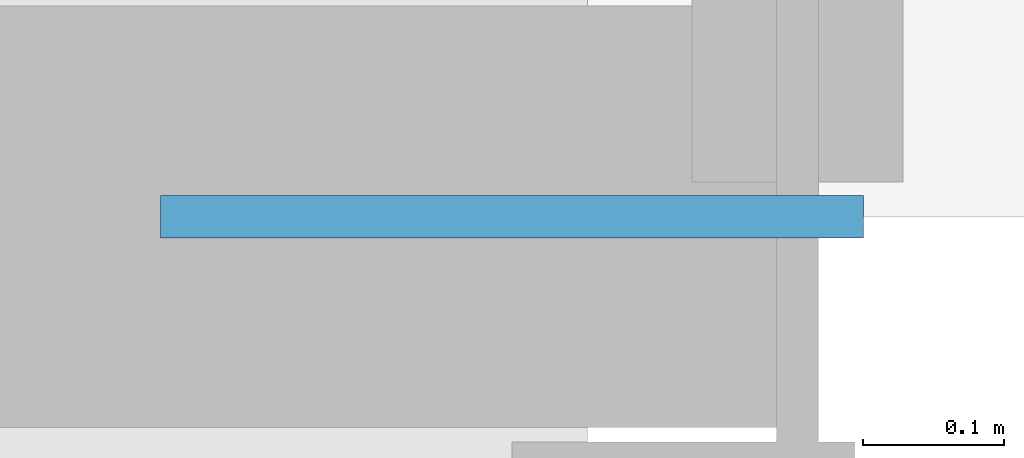
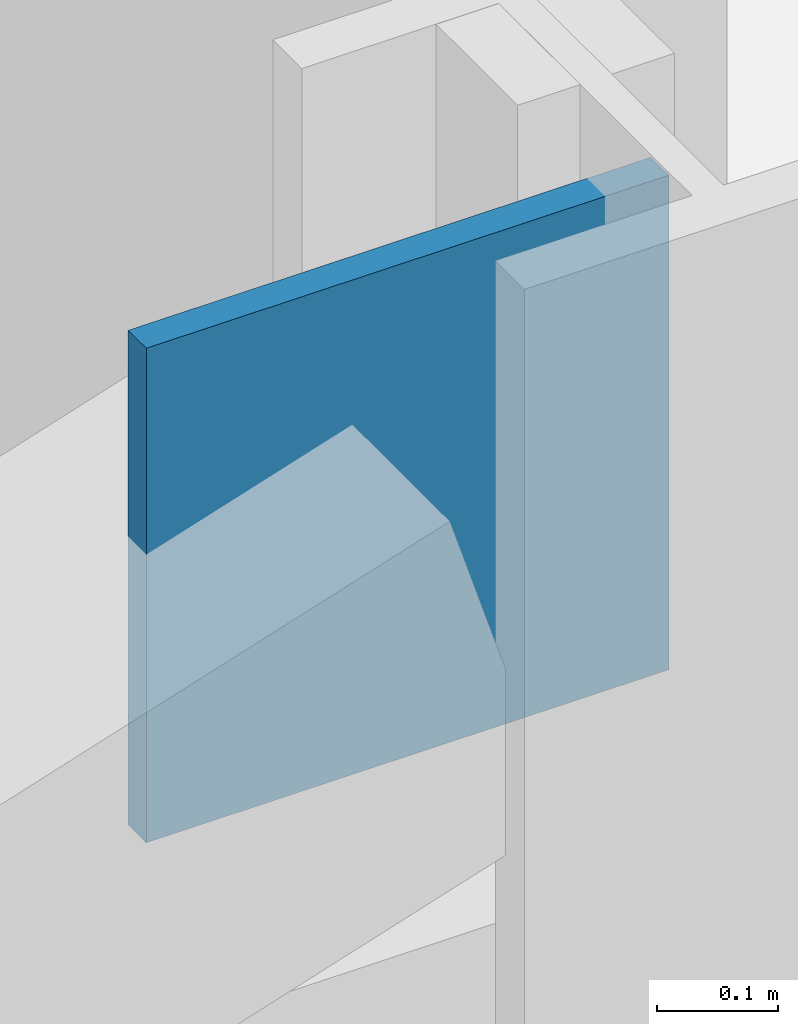
# One storey, part 19 of 28: 1 discrete accessory.
"""IFC4 building model written with IfcOpenShell, lengths in metres."""

from ifc_helpers import new_model, si_unit, direction, frame, origin, origin_2d, place, context, subcontext, project, spatial, rectangle, extrude, material, layer, layer_set, type_object, element, save


model = new_model("IFC4")

# Units and contexts
model_context = context("Model", 3, precision=1e-05, world=origin(), true_north=direction((0.0, 1.0)))
body_context = subcontext(model_context, "Body", "Model", "MODEL_VIEW")
ifc_project = project(units=[si_unit("LENGTHUNIT", "METRE"), si_unit("AREAUNIT", "SQUARE_METRE"), si_unit("VOLUMEUNIT", "CUBIC_METRE"), si_unit("PLANEANGLEUNIT", "RADIAN"), si_unit("MASSUNIT", "GRAM", prefix="KILO")], contexts=[model_context])

# Site, building, storey
site_placement = place(None, origin())
site = spatial("IfcSite", under=ifc_project, at=site_placement, CompositionType="ELEMENT")
building_placement = place(site_placement, origin())
building = spatial("IfcBuilding", under=site, at=building_placement, Name="Mahtab Terrace Research Tower", CompositionType="ELEMENT")
storey_placement = place(building_placement, frame((0.0, 0.0, 174.39990234375)))
storey = spatial("IfcBuildingStorey", under=building, at=storey_placement, Name="L41", CompositionType="ELEMENT", Elevation=174.39990234375)

# Discrete accessory
ifc_material = material(Name="Steel ASTM A992 Gr 50", Category="steel")
ifc_layer = layer(ifc_material, 0.030029296875)
ifc_layer_set = layer_set([ifc_layer], Name="Gusset plate 500x500x30")
discrete_accessory_type = type_object("IfcDiscreteAccessoryType", Name="Gusset plate 500x500x30", PredefinedType="USERDEFINED", material=ifc_layer_set)
discrete_accessory_placement = place(storey_placement, frame((5.796875, -23.0, 2.87109375), z_axis=(0.0, 0.0, 1.0), x_axis=(1.0, 0.0, 0.0)))
element("IfcDiscreteAccessory", 1, at=discrete_accessory_placement, inside=storey, type_object=discrete_accessory_type, Name="Gusset plate", ObjectType="GUSSET PLATE", PredefinedType="USERDEFINED", context=body_context, shape_type="SweptSolid", body=[
    extrude(rectangle(XDim=0.5, YDim=0.030029296875, at=origin_2d()), origin(), (0.0, 0.0, 1.0), 0.5),
])

save(model, "model.ifc")
